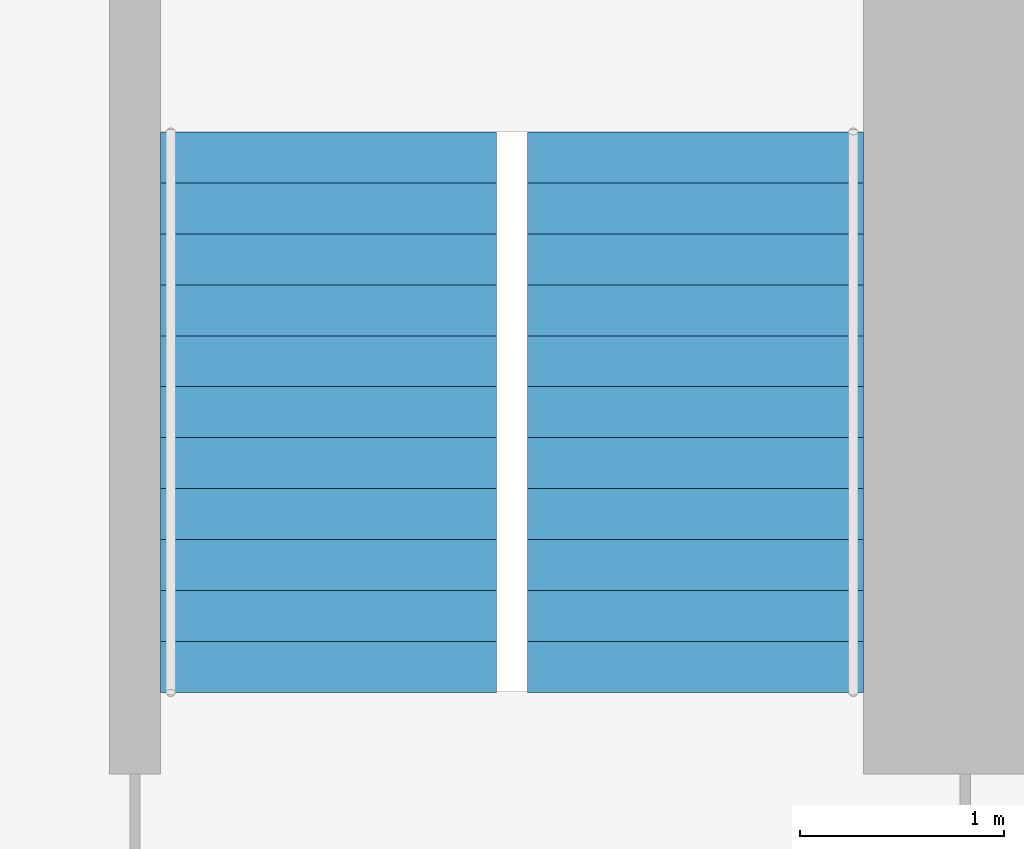
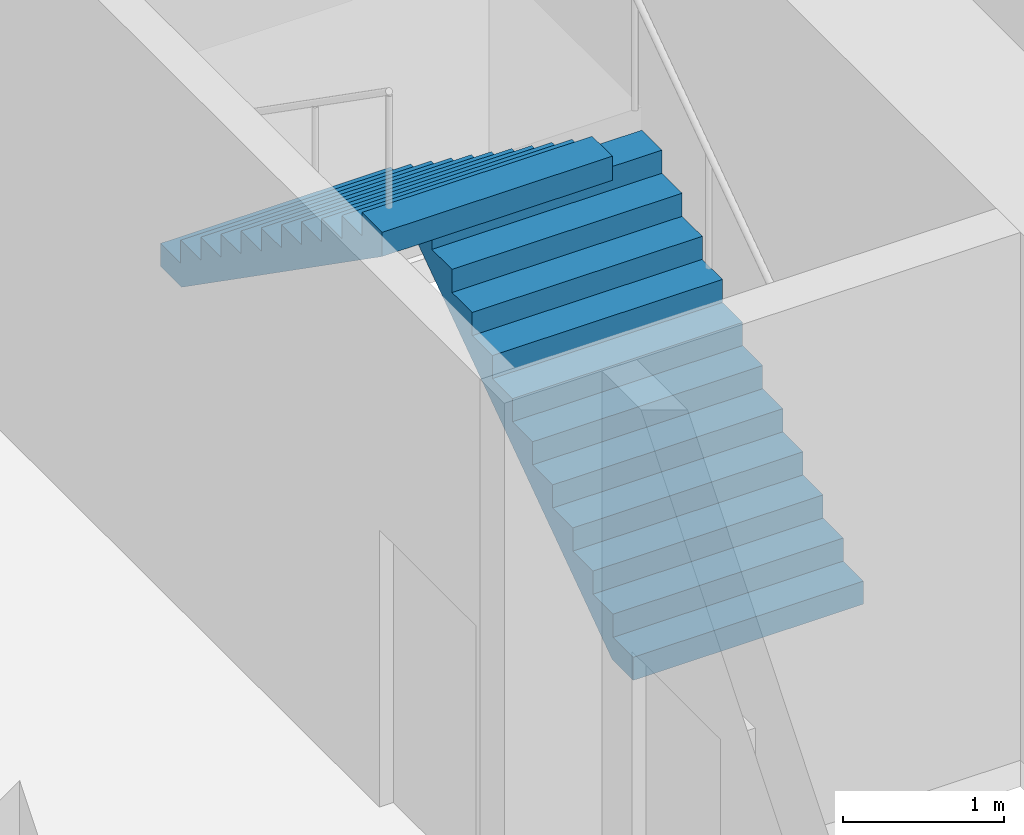
# One storey, part 8 of 10: 2 stair flights, 1 element without a shape of its own.
"""IFC4 building model written with IfcOpenShell, lengths in metres."""

import ifcopenshell
import ifcopenshell.guid

model = None  # the IFC model being written
_history = None  # IfcOwnerHistory: only IFC2X3 demands one
_inside = {}  # id of a spatial element -> (the spatial element, [elements in it])
_under = {}  # id of a project, library or spatial element -> (it, [spatial elements below it])
_declared = {}  # id of a project -> (the project, [libraries it declares])
_typed = {}  # id of a type object -> (the type object, [elements of that type])
_made_of = {}  # id of a material, layer set ... -> (it, [elements and type objects made of it])


def new_model(schema):
    """Start an empty IFC model of exactly this schema.

    Asked for "IFC4X3", IfcOpenShell would pick the latest addendum, in which some entities
    have other attributes; the version numbers below select the first issue.
    IFC2X3 requires an IfcOwnerHistory on every rooted entity: one is made here for all.
    """
    global model, _history
    if schema == "IFC4X3":
        model = ifcopenshell.file(schema_version=(4, 3, 0, 0))
    else:
        model = ifcopenshell.file(schema=schema)
    _inside.clear()
    _under.clear()
    _declared.clear()
    _typed.clear()
    _made_of.clear()
    _history = None
    if model.schema == "IFC2X3":
        org = make("IfcOrganization", Name="unknown")
        user = make(
            "IfcPersonAndOrganization",
            ThePerson=make("IfcPerson", FamilyName="unknown"),
            TheOrganization=org,
        )
        app = make(
            "IfcApplication",
            ApplicationDeveloper=org,
            Version="unknown",
            ApplicationFullName="unknown",
            ApplicationIdentifier="unknown",
        )
        _history = make(
            "IfcOwnerHistory",
            OwningUser=user,
            OwningApplication=app,
            ChangeAction="ADDED",
            CreationDate=0,
        )
    return model


def make(cls, **values):
    """One entity of the class cls with the attributes given. An attribute that is None is left unset."""
    return model.create_entity(
        cls, **{name: value for name, value in values.items() if value is not None}
    )


def rooted(cls, **values):
    """An entity with a GlobalId (a new one), such as an element, a storey or a relation."""
    return make(cls, GlobalId=ifcopenshell.guid.new(), OwnerHistory=_history, **values)


def si_unit(unit_type, name, prefix=None):
    """IfcSIUnit, for example si_unit("LENGTHUNIT", "METRE", prefix="MILLI")."""
    return make("IfcSIUnit", UnitType=unit_type, Prefix=prefix, Name=name)


def assignment(units):
    """IfcUnitAssignment: the units of a project."""
    return None if units is None else make("IfcUnitAssignment", Units=units)


def point(xyz):
    """IfcCartesianPoint."""
    return None if xyz is None else make("IfcCartesianPoint", Coordinates=xyz)


def direction(xyz):
    """IfcDirection."""
    return None if xyz is None else make("IfcDirection", DirectionRatios=xyz)


def frame(location, z_axis=None, x_axis=None):
    """IfcAxis2Placement3D, a coordinate frame: its origin and axes. An axis left out is left unset."""
    return make(
        "IfcAxis2Placement3D",
        Location=point(location),
        Axis=direction(z_axis),
        RefDirection=direction(x_axis),
    )


def origin():
    """The frame at (0, 0, 0) with its axes left unset."""
    return frame((0.0, 0.0, 0.0))


def place(relative_to, where):
    """IfcLocalPlacement: puts the frame where relative to a parent placement (None: the world)."""
    return make(
        "IfcLocalPlacement", PlacementRelTo=relative_to, RelativePlacement=where
    )


def context(
    kind, dimensions, precision=None, world=None, true_north=None, identifier=None
):
    """IfcGeometricRepresentationContext, for example the 3D "Model" context."""
    return make(
        "IfcGeometricRepresentationContext",
        ContextIdentifier=identifier,
        ContextType=kind,
        CoordinateSpaceDimension=dimensions,
        Precision=precision,
        WorldCoordinateSystem=world,
        TrueNorth=true_north,
    )


def subcontext(parent, identifier, kind, view, scale=None):
    """IfcGeometricRepresentationSubContext, for example "Body" below "Model"."""
    return make(
        "IfcGeometricRepresentationSubContext",
        ContextIdentifier=identifier,
        ContextType=kind,
        ParentContext=parent,
        TargetScale=scale,
        TargetView=view,
    )


def project(units=None, contexts=None):
    """IfcProject with its units and contexts."""
    return rooted(
        "IfcProject",
        Name="project",
        RepresentationContexts=contexts,
        UnitsInContext=assignment(units),
    )


def spatial(cls, under=None, at=None, **own):
    """A site, building, storey or space (cls), placed at a placement, below another one or the project."""
    s = rooted(cls, ObjectPlacement=at, **own)
    if under is not None:
        _under.setdefault(under.id(), (under, []))[1].append(s)
    return s


def polyline(points):
    """IfcPolyline through the points."""
    return make("IfcPolyline", Points=[point(p) for p in points])


def outline(outer, holes=None, kind="AREA"):
    """IfcArbitraryClosedProfileDef: a profile drawn as a closed curve; with holes, ...WithVoids."""
    if holes is None:
        return make("IfcArbitraryClosedProfileDef", ProfileType=kind, OuterCurve=outer)
    return make(
        "IfcArbitraryProfileDefWithVoids",
        ProfileType=kind,
        OuterCurve=outer,
        InnerCurves=holes,
    )


def extrude(swept, where, along, depth):
    """IfcExtrudedAreaSolid: the profile swept, set in the frame where, extruded along a direction by depth."""
    return make(
        "IfcExtrudedAreaSolid",
        SweptArea=swept,
        Position=where,
        ExtrudedDirection=direction(along),
        Depth=depth,
    )


def shape(context_of_items, identifier, shape_type, items):
    """IfcShapeRepresentation: the items that make up one representation, for example the "Body"."""
    return make(
        "IfcShapeRepresentation",
        ContextOfItems=context_of_items,
        RepresentationIdentifier=identifier,
        RepresentationType=shape_type,
        Items=items,
    )


def material(Name=None, Category=None):
    """IfcMaterial."""
    return make("IfcMaterial", Name=Name, Category=Category)


def made_of(thing, what):
    """Note that an element or type object is made of a material, layer set ...; save() writes the relation."""
    if what is not None:
        _made_of.setdefault(what.id(), (what, []))[1].append(thing)
    return thing


def type_object(cls, material=None, **own):
    """A type object (cls), such as IfcWallType, which elements share."""
    return made_of(rooted(cls, **own), material)


def element(
    cls,
    number,
    at=None,
    inside=None,
    cuts=None,
    type_object=None,
    material=None,
    context=None,
    identifier="Body",
    shape_type=None,
    held_by="IfcProductDefinitionShape",
    body=None,
    shapes=None,
    **own,
):
    """One element of the class cls, such as IfcWall. Its Tag is "e" and its number.

    at: its placement. inside: the storey or other place that contains it. cuts: it is an
    opening in that element (IfcRelVoidsElement). A single representation is given by context,
    identifier, shape_type and body (its items); several are given by shapes. held_by: the class
    of the entity that holds the representations. save() writes the other relations.
    """
    e = rooted(cls, Tag="e%d" % number, ObjectPlacement=at, **own)
    if body is not None:
        shapes = [shape(context, identifier, shape_type, body)]
    if shapes is not None:
        e.Representation = make(held_by, Representations=shapes)
    if inside is not None:
        _inside.setdefault(inside.id(), (inside, []))[1].append(e)
    if cuts is not None:
        rooted(
            "IfcRelVoidsElement", RelatingBuildingElement=cuts, RelatedOpeningElement=e
        )
    if type_object is not None:
        _typed.setdefault(type_object.id(), (type_object, []))[1].append(e)
    return made_of(e, material)


def aggregate(whole, parts):
    """IfcRelAggregates: a whole, such as a stair, and the parts it consists of."""
    return rooted("IfcRelAggregates", RelatingObject=whole, RelatedObjects=parts)


def save(model, path):
    """Write the relations noted so far, then the file.

    IfcRelAggregates (storeys below a building ...), IfcRelContainedInSpatialStructure (elements
    in a storey), IfcRelDefinesByType, IfcRelAssociatesMaterial and IfcRelDeclares: one each for
    every whole, place, type object, material and project.
    """
    for whole, parts in _under.values():
        aggregate(whole, parts)
    for where, things in _inside.values():
        rooted(
            "IfcRelContainedInSpatialStructure",
            RelatedElements=things,
            RelatingStructure=where,
        )
    for kind, things in _typed.values():
        rooted("IfcRelDefinesByType", RelatedObjects=things, RelatingType=kind)
    for what, things in _made_of.values():
        rooted("IfcRelAssociatesMaterial", RelatedObjects=things, RelatingMaterial=what)
    for by, libraries in _declared.values():
        rooted("IfcRelDeclares", RelatingContext=by, RelatedDefinitions=libraries)
    model.write(path)


model = new_model("IFC4")

# Units and contexts
model_context = context("Model", 3, precision=1e-05, world=origin(), true_north=direction((0.0, 1.0)))
body_context = subcontext(model_context, "Body", "Model", "MODEL_VIEW")
ifc_project = project(units=[si_unit("LENGTHUNIT", "METRE"), si_unit("AREAUNIT", "SQUARE_METRE"), si_unit("VOLUMEUNIT", "CUBIC_METRE"), si_unit("PLANEANGLEUNIT", "RADIAN"), si_unit("MASSUNIT", "GRAM", prefix="KILO")], contexts=[model_context])

# Site, building, storey
site_placement = place(None, origin())
site = spatial("IfcSite", under=ifc_project, at=site_placement, CompositionType="ELEMENT")
building_placement = place(site_placement, origin())
building = spatial("IfcBuilding", under=site, at=building_placement, Name="Ogive Exchange Tower", CompositionType="ELEMENT")
storey_placement = place(building_placement, frame((0.0, 0.0, 43.800048828125)))
storey = spatial("IfcBuildingStorey", under=building, at=storey_placement, Name="L08", CompositionType="ELEMENT", Elevation=43.800048828125)

# Stair, stair flights
ifc_material = material(Name="Concrete C40/50", Category="concrete")
stair_type = type_object("IfcStairType", Name="Exit stair 1650 wide", PredefinedType="HALF_TURN_STAIR", material=ifc_material)
stair_placement = place(storey_placement, origin())
stair = element("IfcStair", 1, at=stair_placement, inside=storey, type_object=stair_type, Name="L08 exit stair ST4", PredefinedType="HALF_TURN_STAIR")
stair_flight_type = type_object("IfcStairFlightType", Name="Stair flight 1650 wide", PredefinedType="STRAIGHT", material=ifc_material)
stair_flight_1_placement = place(storey_placement, frame((20.175048828125, 20.800048828125, 0.0), z_axis=(0.0, 0.0, 1.0), x_axis=(0.0, 1.0, 0.0)))
stair_flight_1 = element("IfcStairFlight", 2, at=stair_flight_1_placement, type_object=stair_flight_type, Name="ST4 flight 1", NumberOfRisers=12, NumberOfTreads=11, PredefinedType="STRAIGHT", RiserHeight=0.175, TreadLength=0.25, context=body_context, shape_type="SweptSolid", body=[
    extrude(outline(polyline([(0.0, 0.0), (0.0, 0.175048828125), (0.25, 0.175048828125), (0.25, 0.35009765625), (0.5, 0.35009765625), (0.5, 0.52490234375), (0.75, 0.52490234375), (0.75, 0.699951171875), (1.0, 0.699951171875), (1.0, 0.875), (1.25, 0.875), (1.25, 1.050048828125), (1.5, 1.050048828125), (1.5, 1.22509765625), (1.75, 1.22509765625), (1.75, 1.39990234375), (2.0, 1.39990234375), (2.0, 1.574951171875), (2.25, 1.574951171875), (2.25, 1.75), (2.5, 1.75), (2.5, 1.925048828125), (2.75, 1.925048828125), (2.75, 2.10009765625), (2.75, 1.741943359375), (0.261474609375, 0.0), (0.0, 0.0)])), frame((0.0, 0.824951171875, 0.0), z_axis=(0.0, -1.0, 0.0), x_axis=(1.0, 0.0, 0.0)), (0.0, 0.0, 1.0), 1.64990234375),
])
stair_flight_2_placement = place(storey_placement, frame((18.375, 23.550048828125, 2.099853515625), z_axis=(0.0, 0.0, 1.0), x_axis=(0.0, -1.0, 0.0)))
stair_flight_2 = element("IfcStairFlight", 3, at=stair_flight_2_placement, type_object=stair_flight_type, Name="ST4 flight 2", NumberOfRisers=12, NumberOfTreads=11, PredefinedType="STRAIGHT", RiserHeight=0.175, TreadLength=0.25, context=body_context, shape_type="SweptSolid", body=[
    extrude(outline(polyline([(0.0, 0.0), (0.0, 0.175048828125), (0.25, 0.175048828125), (0.25, 0.35009765625), (0.5, 0.35009765625), (0.5, 0.52490234375), (0.75, 0.52490234375), (0.75, 0.699951171875), (1.0, 0.699951171875), (1.0, 0.875), (1.25, 0.875), (1.25, 1.050048828125), (1.5, 1.050048828125), (1.5, 1.22509765625), (1.75, 1.22509765625), (1.75, 1.39990234375), (2.0, 1.39990234375), (2.0, 1.574951171875), (2.25, 1.574951171875), (2.25, 1.75), (2.5, 1.75), (2.5, 1.925048828125), (2.75, 1.925048828125), (2.75, 2.10009765625), (2.75, 1.741943359375), (0.261474609375, 0.0), (0.0, 0.0)])), frame((0.0, 0.824951171875, 0.0), z_axis=(0.0, -1.0, 0.0), x_axis=(1.0, 0.0, 0.0)), (0.0, 0.0, 1.0), 1.64990234375),
])
aggregate(stair, [stair_flight_1, stair_flight_2])

save(model, "model.ifc")
